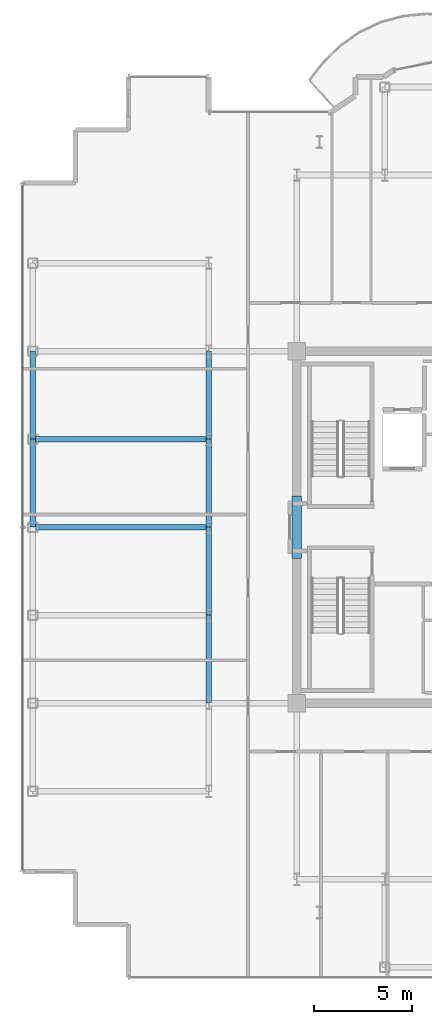
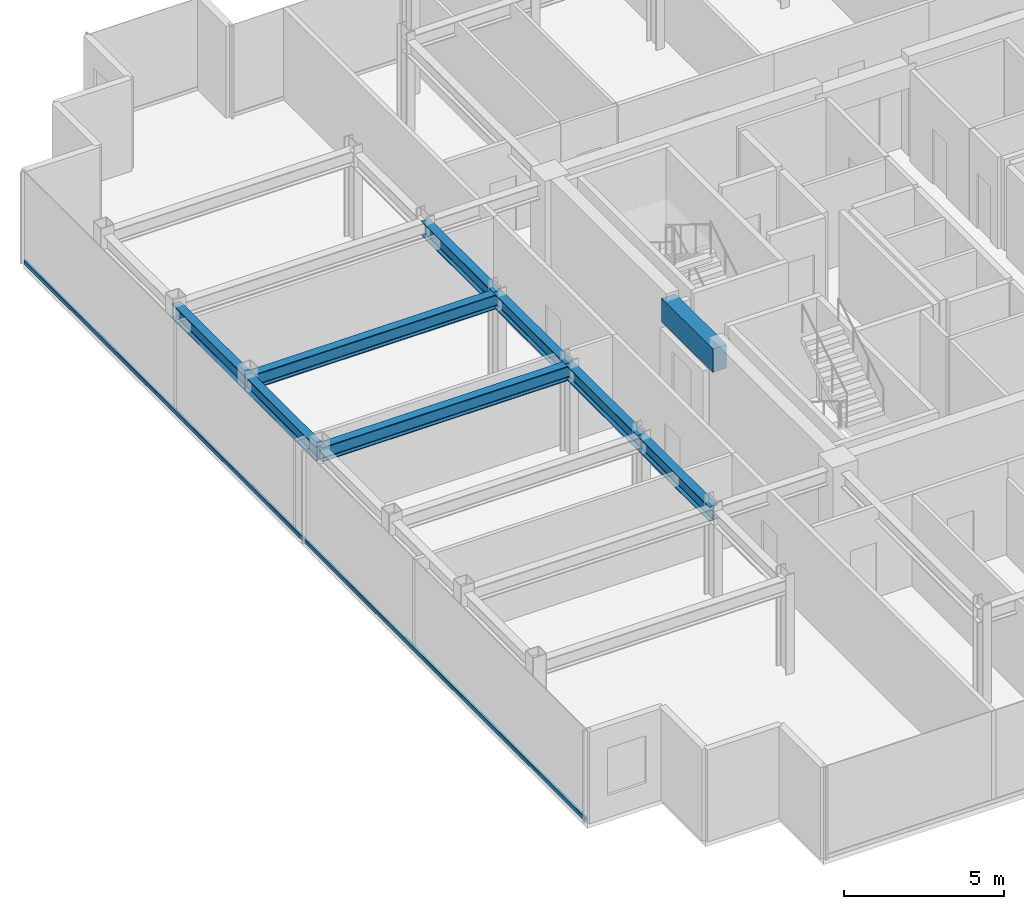
# One storey, part 5 of 18: 9 beams, 1 member, 1 element without a shape of its own.
"""IFC4 building model written with IfcOpenShell, lengths in metres."""

from ifc_helpers import new_model, si_unit, direction, frame, origin, origin_2d, place, context, subcontext, project, spatial, rectangle, hollow_rectangle, i_section, extrude, source, transform, mapped, material, layer, layer_set, material_profile, profile_set, type_object, element, aggregate, save


model = new_model("IFC4")

# Units and contexts
model_context = context("Model", 3, precision=1e-05, world=origin(), true_north=direction((0.0, 1.0)))
body_context = subcontext(model_context, "Body", "Model", "MODEL_VIEW")
ifc_project = project(units=[si_unit("LENGTHUNIT", "METRE"), si_unit("AREAUNIT", "SQUARE_METRE"), si_unit("VOLUMEUNIT", "CUBIC_METRE"), si_unit("PLANEANGLEUNIT", "RADIAN"), si_unit("MASSUNIT", "GRAM", prefix="KILO")], contexts=[model_context])

# Site, building, storey
site_placement = place(None, origin())
site = spatial("IfcSite", under=ifc_project, at=site_placement, CompositionType="ELEMENT")
building_placement = place(site_placement, origin())
building = spatial("IfcBuilding", under=site, at=building_placement, Name="Nefas-Gora Pilgrimage Tower", CompositionType="ELEMENT")
storey_placement = place(building_placement, frame((0.0, 0.0, 314.0)))
storey = spatial("IfcBuildingStorey", under=building, at=storey_placement, Name="L79", CompositionType="ELEMENT", Elevation=314.0)

# Beams
ifc_material_1 = material(Name="Concrete C50/60", Category="concrete")
ifc_material_profile_1 = material_profile(ifc_material_1, rectangle(XDim=0.5, YDim=0.89990234375, at=origin_2d()), Name="RC 500x900")
ifc_profile_set_1 = profile_set([ifc_material_profile_1], Name="Concrete C50/60")
beam_type_1 = type_object("IfcBeamType", Name="BM-LIN-RC900", PredefinedType="LINTEL", material=ifc_profile_set_1)
shared_shape_1 = source(origin(), body_context, "Body", "SweptSolid", [
    extrude(rectangle(XDim=0.5, YDim=0.89990234375, at=origin_2d()), origin(), (0.0, 0.0, 1.0), 3.2001953125),
])
beam_placement = place(storey_placement, frame((-11.25, -1.60009765625, 3.050048828125), z_axis=(0.0, 1.0, 0.0), x_axis=(-1.0, 0.0, 0.0)))
element("IfcBeam", 1, at=beam_placement, inside=storey, type_object=beam_type_1, Name="L79 Core Coupling Lintel Beam W", PredefinedType="LINTEL", context=body_context, shape_type="MappedRepresentation", body=[
    mapped(shared_shape_1, transform((0.0, 0.0, 0.0), x_axis=(1.0, 0.0, 0.0), y_axis=(0.0, 1.0, 0.0), z_axis=(0.0, 0.0, 1.0), scale=1.0)),
])
ifc_material_2 = material(Name="Steel S355", Category="steel")
ifc_material_profile_2 = material_profile(ifc_material_2, i_section(OverallWidth=0.300048828125, OverallDepth=0.550048828125, WebThickness=0.014892578125, FlangeThickness=0.029052734375, FilletRadius=0.027099609375, at=origin_2d()), Name="HEB 550")
ifc_profile_set_2 = profile_set([ifc_material_profile_2], Name="Steel S355")
beam_type_2 = type_object("IfcBeamType", Name="BM-SPN-HEB400", PredefinedType="SPANDREL", material=ifc_profile_set_2)
shared_shape_2 = source(origin(), body_context, "Body", "SweptSolid", [
    extrude(i_section(OverallWidth=0.300048828125, OverallDepth=0.550048828125, WebThickness=0.014892578125, FlangeThickness=0.029052734375, FilletRadius=0.027099609375, at=origin_2d()), origin(), (0.0, 0.0, 1.0), 4.5),
])
for number, where, z_axis, x_axis, name in (
    (2, (-24.75, 0.0, 3.22509765625), (0.0, 1.0, 0.0), (-1.0, 0.0, 0.0), "L79 SP-04 beam"),
    (3, (-24.75, 4.5, 3.22509765625), (0.0, 1.0, 0.0), (-1.0, 0.0, 0.0), "L79 SP-04 beam"),
):
    element("IfcBeam", number, at=place(storey_placement, frame(where, z_axis=z_axis, x_axis=x_axis)), inside=storey, type_object=beam_type_2, Name=name, PredefinedType="SPANDREL", context=body_context, shape_type="MappedRepresentation", body=[
        mapped(shared_shape_2, transform((0.0, 0.0, 0.0), x_axis=(1.0, 0.0, 0.0), y_axis=(0.0, 1.0, 0.0), z_axis=(0.0, 0.0, 1.0), scale=1.0)),
    ])
ifc_material_profile_3 = material_profile(ifc_material_2, i_section(OverallWidth=0.300048828125, OverallDepth=0.550048828125, WebThickness=0.014892578125, FlangeThickness=0.029052734375, FilletRadius=0.027099609375, at=origin_2d()), Name="HEB 550")
ifc_profile_set_3 = profile_set([ifc_material_profile_3], Name="Steel S355")
beam_type_3 = type_object("IfcBeamType", Name="BM-GIR-HEB550", PredefinedType="BEAM", material=ifc_profile_set_3)
shared_shape_3 = source(origin(), body_context, "Body", "SweptSolid", [
    extrude(i_section(OverallWidth=0.300048828125, OverallDepth=0.550048828125, WebThickness=0.014892578125, FlangeThickness=0.029052734375, FilletRadius=0.027099609375, at=origin_2d()), origin(), (0.0, 0.0, 1.0), 9.0),
])
for number, where, z_axis, x_axis, name in (
    (4, (-24.75, 0.0, 3.22509765625), (1.0, 0.0, 0.0), (0.0, 1.0, 0.0), "L79 G-05 beam"),
    (5, (-24.75, 4.5, 3.22509765625), (1.0, 0.0, 0.0), (0.0, 1.0, 0.0), "L79 G-05 beam"),
):
    element("IfcBeam", number, at=place(storey_placement, frame(where, z_axis=z_axis, x_axis=x_axis)), inside=storey, type_object=beam_type_3, Name=name, PredefinedType="BEAM", context=body_context, shape_type="MappedRepresentation", body=[
        mapped(shared_shape_3, transform((0.0, 0.0, 0.0), x_axis=(1.0, 0.0, 0.0), y_axis=(0.0, 1.0, 0.0), z_axis=(0.0, 0.0, 1.0), scale=1.0)),
    ])
shared_shape_4 = source(origin(), body_context, "Body", "SweptSolid", [
    extrude(i_section(OverallWidth=0.300048828125, OverallDepth=0.550048828125, WebThickness=0.014892578125, FlangeThickness=0.029052734375, FilletRadius=0.027099609375, at=origin_2d()), origin(), (0.0, 0.0, 1.0), 4.5),
])
for number, where, z_axis, x_axis, name in (
    (6, (-15.75, -9.0, 3.22509765625), (0.0, 1.0, 0.0), (-1.0, 0.0, 0.0), "L79 G-05 beam"),
    (7, (-15.75, -4.5, 3.22509765625), (0.0, 1.0, 0.0), (-1.0, 0.0, 0.0), "L79 G-05 beam"),
    (8, (-15.75, 0.0, 3.22509765625), (0.0, 1.0, 0.0), (-1.0, 0.0, 0.0), "L79 G-05 beam"),
    (9, (-15.75, 4.5, 3.22509765625), (0.0, 1.0, 0.0), (-1.0, 0.0, 0.0), "L79 G-05 beam"),
):
    element("IfcBeam", number, at=place(storey_placement, frame(where, z_axis=z_axis, x_axis=x_axis)), inside=storey, type_object=beam_type_3, Name=name, PredefinedType="BEAM", context=body_context, shape_type="MappedRepresentation", body=[
        mapped(shared_shape_4, transform((0.0, 0.0, 0.0), x_axis=(1.0, 0.0, 0.0), y_axis=(0.0, 1.0, 0.0), z_axis=(0.0, 0.0, 1.0), scale=1.0)),
    ])

# Curtain wall, member
ifc_material_3 = material(Name="Dark ceramic-fritted solar-control aluminium-glass curtain wall", Category="aluminium")
ifc_layer = layer(ifc_material_3, 0.219970703125)
ifc_layer_set = layer_set([ifc_layer], Name="Dark ceramic-fritted solar-control aluminium-glass curtain wall")
curtain_wall_type = type_object("IfcCurtainWallType", Name="CW-SYS-4", PredefinedType="NOTDEFINED", material=ifc_layer_set)
curtain_wall_placement = place(storey_placement, origin())
curtain_wall = element("IfcCurtainWall", 10, at=curtain_wall_placement, inside=storey, type_object=curtain_wall_type, Name="L79 Unitised Curtain Wall CW4", PredefinedType="NOTDEFINED")
ifc_material_4 = material(Name="Anodised architectural aluminium", Category="aluminium")
ifc_material_profile_4 = material_profile(ifc_material_4, hollow_rectangle(XDim=0.080078125, YDim=0.159912109375, WallThickness=0.00439453125, InnerFilletRadius=0.00439453125, OuterFilletRadius=0.009033203125, at=origin_2d()), Name="ALU TRANSOM 80x160")
ifc_profile_set_4 = profile_set([ifc_material_profile_4], Name="Anodised architectural aluminium")
member_type = type_object("IfcMemberType", Name="CWM-TRN-4", PredefinedType="USERDEFINED", material=ifc_profile_set_4)
shared_shape_5 = source(origin(), body_context, "Body", "SweptSolid", [
    extrude(hollow_rectangle(XDim=0.080078125, YDim=0.159912109375, WallThickness=0.00439453125, InnerFilletRadius=0.00439453125, OuterFilletRadius=0.009033203125, at=origin_2d()), origin(), (0.0, 0.0, 1.0), 35.06005859375),
])
member_placement = place(storey_placement, frame((-25.27001953125, 17.530029296875, 0.050048828125), z_axis=(0.0, -1.0, 0.0), x_axis=(1.0, 0.0, 0.0)))
member = element("IfcMember", 11, at=member_placement, type_object=member_type, Name="CW4 Spandrel Transom", ObjectType="TRANSOM", PredefinedType="USERDEFINED", context=body_context, shape_type="MappedRepresentation", body=[
    mapped(shared_shape_5, transform((0.0, 0.0, 0.0), x_axis=(1.0, 0.0, 0.0), y_axis=(0.0, 1.0, 0.0), z_axis=(0.0, 0.0, 1.0), scale=1.0)),
])
aggregate(curtain_wall, [member])

save(model, "model.ifc")
